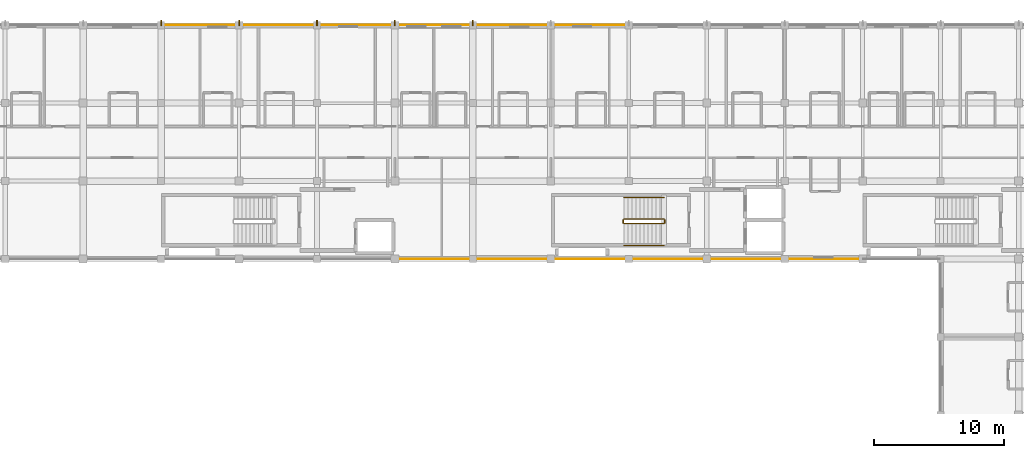
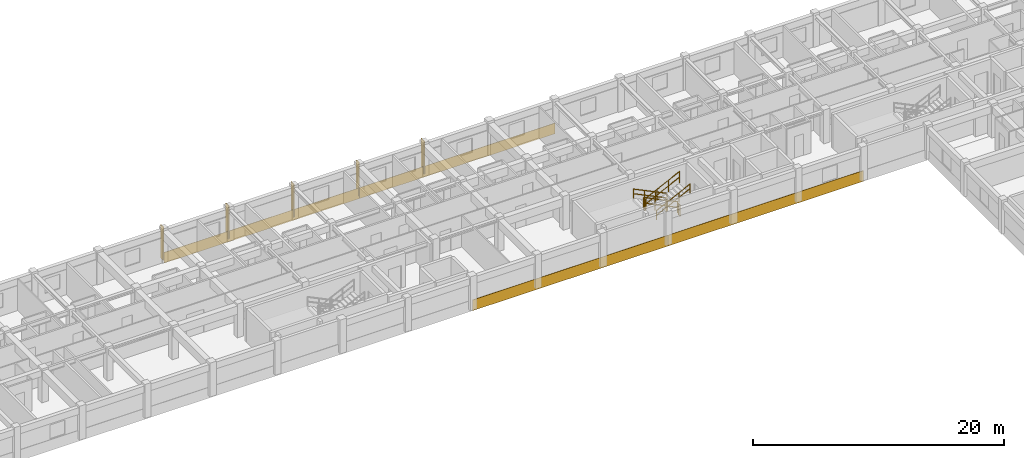
# One storey, part 20 of 21: 6 railings, 5 shading devices, 4 coverings.
"""IFC4 building model written with IfcOpenShell, lengths in metres."""

from ifc_helpers import new_model, si_unit, direction, frame, origin, origin_2d, place, context, subcontext, project, spatial, polyline, rectangle, circle, outline, extrude, material, layer, layer_set, type_object, element, save


model = new_model("IFC4")

# Units and contexts
model_context = context("Model", 3, precision=1e-05, world=origin(), true_north=direction((0.0, 1.0)))
body_context = subcontext(model_context, "Body", "Model", "MODEL_VIEW")
ifc_project = project(units=[si_unit("LENGTHUNIT", "METRE"), si_unit("AREAUNIT", "SQUARE_METRE"), si_unit("VOLUMEUNIT", "CUBIC_METRE"), si_unit("PLANEANGLEUNIT", "RADIAN"), si_unit("MASSUNIT", "GRAM", prefix="KILO"), si_unit("THERMODYNAMICTEMPERATUREUNIT", "KELVIN"), si_unit("POWERUNIT", "WATT")], contexts=[model_context])

# Site, building, storey
site_placement = place(None, origin())
site = spatial("IfcSite", under=ifc_project, at=site_placement, CompositionType="ELEMENT")
building_placement = place(site_placement, origin())
building = spatial("IfcBuilding", under=site, at=building_placement, Name="Phaisarnlok Congress Hotel", CompositionType="ELEMENT")
storey_placement = place(building_placement, frame((0.0, 0.0, 34.800048828125)))
storey = spatial("IfcBuildingStorey", under=building, at=storey_placement, Name="L08", CompositionType="ELEMENT", Elevation=34.800048828125)

# Coverings
ifc_material_1 = material(Name="Anodised Silver Aluminium Alloy 6063-T6", Category="aluminium")
ifc_layer_1 = layer(ifc_material_1, 0.031982421875, Name="Anodised Silver Aluminium Alloy 6063-T6")
ifc_layer_set_1 = layer_set([ifc_layer_1], Name="Anodised Silver Aluminium Alloy 6063-T6")
covering_type = type_object("IfcCoveringType", Name="COV-SPAND-ALU", PredefinedType="CLADDING", material=ifc_layer_set_1)
for number, where, z_axis, x_axis, name in (
    (1, (120.06005859375, 125.9951171875, -0.280029296875), (0.0, 1.0, 0.0), (-1.0, 0.0, 0.0), "Swiss minimalist anodised silver rainscreen band CL-02 (L08 N)"),
    (2, (138.06005859375, 125.9951171875, -0.280029296875), (0.0, 1.0, 0.0), (-1.0, 0.0, 0.0), "Swiss minimalist anodised silver rainscreen band CL-02 (L08 N)"),
    (3, (120.06005859375, 108.0048828125, -0.280029296875), (0.0, -1.0, 0.0), (1.0, 0.0, 0.0), "Swiss minimalist anodised silver rainscreen band CL-02 (L08 S)"),
    (4, (138.06005859375, 108.0048828125, -0.280029296875), (0.0, -1.0, 0.0), (1.0, 0.0, 0.0), "Swiss minimalist anodised silver rainscreen band CL-02 (L08 S)"),
):
    element("IfcCovering", number, at=place(storey_placement, frame(where, z_axis=z_axis, x_axis=x_axis)), inside=storey, type_object=covering_type, Name=name, PredefinedType="CLADDING", context=body_context, shape_type="SweptSolid", body=[
        extrude(outline(polyline([(0.0, 0.0), (18.0, 0.0), (18.0, 1.050048828125), (0.0, 1.050048828125), (0.0, 0.0)])), origin(), (0.0, 0.0, 1.0), 0.031982421875),
    ])

# Railings
ifc_material_2 = material(Name="Painted Galvanised Steel S275", Category="steel")
railing_type_1 = type_object("IfcRailingType", Name="RLG-STR-GUARD", PredefinedType="BALUSTRADE", material=ifc_material_2)
railing_1_placement = place(storey_placement, frame((140.719970703125, 111.070068359375, 0.14990234375)))
element("IfcRailing", 5, at=railing_1_placement, inside=storey, type_object=railing_type_1, Name="L08 ST-06 stair guard 1", PredefinedType="BALUSTRADE", context=body_context, shape_type="SweptSolid", body=[
    extrude(circle(Radius=0.02392578125, at=origin_2d()), frame((0.0, 0.0, 1.076171875), z_axis=(-0.900151181449, 0.0, 0.435577605641), x_axis=(0.0, -1.0, 0.0)), (0.0, 0.0, 1.0), 3.443603515625),
    extrude(circle(Radius=0.02392578125, at=origin_2d()), frame((0.0, 0.0, 0.52587890625), z_axis=(-0.900151181449, 0.0, 0.435577605641), x_axis=(0.0, -1.0, 0.0)), (0.0, 0.0, 1.0), 3.443603515625),
    extrude(circle(Radius=0.02099609375, at=origin_2d()), origin(), (0.0, 0.0, 1.0), 1.052001953125),
    extrude(circle(Radius=0.02099609375, at=origin_2d()), frame((-1.033203125, 0.0, 0.5)), (0.0, 0.0, 1.0), 1.052001953125),
    extrude(circle(Radius=0.02099609375, at=origin_2d()), frame((-2.066650390625, 0.0, 1.0)), (0.0, 0.0, 1.0), 1.052001953125),
    extrude(circle(Radius=0.02099609375, at=origin_2d()), frame((-3.099853515625, 0.0, 1.5)), (0.0, 0.0, 1.0), 1.052001953125),
])
railing_2_placement = place(storey_placement, frame((137.570068359375, 111.02001953125, 1.64990234375)))
element("IfcRailing", 6, at=railing_2_placement, inside=storey, type_object=railing_type_1, Name="L08 ST-06 stair guard 2", PredefinedType="BALUSTRADE", context=body_context, shape_type="SweptSolid", body=[
    extrude(circle(Radius=0.02392578125, at=origin_2d()), frame((0.0, 0.0, 1.076171875), z_axis=(0.0, -1.0, 0.0), x_axis=(1.0, 0.0, 0.0)), (0.0, 0.0, 1.0), 0.239990234375),
    extrude(circle(Radius=0.02392578125, at=origin_2d()), frame((0.0, 0.0, 0.52587890625), z_axis=(0.0, -1.0, 0.0), x_axis=(1.0, 0.0, 0.0)), (0.0, 0.0, 1.0), 0.239990234375),
    extrude(circle(Radius=0.02099609375, at=origin_2d()), origin(), (0.0, 0.0, 1.0), 1.052001953125),
    extrude(circle(Radius=0.02099609375, at=origin_2d()), frame((0.0, -0.239990234375, 0.0)), (0.0, 0.0, 1.0), 1.052001953125),
])
railing_3_placement = place(storey_placement, frame((137.6201171875, 110.72998046875, 1.800048828125)))
element("IfcRailing", 7, at=railing_3_placement, inside=storey, type_object=railing_type_1, Name="L08 ST-06 stair guard 3", PredefinedType="BALUSTRADE", context=body_context, shape_type="SweptSolid", body=[
    extrude(circle(Radius=0.02392578125, at=origin_2d()), frame((0.0, 0.0, 1.076171875), z_axis=(0.900151181449, 0.0, 0.435577605641), x_axis=(0.0, 1.0, 0.0)), (0.0, 0.0, 1.0), 3.443603515625),
    extrude(circle(Radius=0.02392578125, at=origin_2d()), frame((0.0, 0.0, 0.52587890625), z_axis=(0.900151181449, 0.0, 0.435577605641), x_axis=(0.0, 1.0, 0.0)), (0.0, 0.0, 1.0), 3.443603515625),
    extrude(circle(Radius=0.02099609375, at=origin_2d()), origin(), (0.0, 0.0, 1.0), 1.052001953125),
    extrude(circle(Radius=0.02099609375, at=origin_2d()), frame((1.033203125, 0.0, 0.5)), (0.0, 0.0, 1.0), 1.052001953125),
    extrude(circle(Radius=0.02099609375, at=origin_2d()), frame((2.066650390625, 0.0, 1.0)), (0.0, 0.0, 1.0), 1.052001953125),
    extrude(circle(Radius=0.02099609375, at=origin_2d()), frame((3.099853515625, 0.0, 1.5)), (0.0, 0.0, 1.0), 1.052001953125),
])
railing_4_placement = place(storey_placement, frame((140.77001953125, 111.02001953125, 0.0)))
element("IfcRailing", 8, at=railing_4_placement, inside=storey, type_object=railing_type_1, Name="L08 ST-06 stair guard 4", PredefinedType="BALUSTRADE", context=body_context, shape_type="SweptSolid", body=[
    extrude(circle(Radius=0.02392578125, at=origin_2d()), frame((0.0, 0.0, 1.076171875), z_axis=(0.0, -1.0, 0.0), x_axis=(1.0, 0.0, 0.0)), (0.0, 0.0, 1.0), 0.239990234375),
    extrude(circle(Radius=0.02392578125, at=origin_2d()), frame((0.0, 0.0, 0.52587890625), z_axis=(0.0, -1.0, 0.0), x_axis=(1.0, 0.0, 0.0)), (0.0, 0.0, 1.0), 0.239990234375),
    extrude(circle(Radius=0.02099609375, at=origin_2d()), origin(), (0.0, 0.0, 1.0), 1.052001953125),
    extrude(circle(Radius=0.02099609375, at=origin_2d()), frame((0.0, -0.239990234375, 0.0)), (0.0, 0.0, 1.0), 1.052001953125),
])
ifc_material_3 = material(Name="Brushed Stainless Steel Grade 304", Category="steel")
railing_type_2 = type_object("IfcRailingType", Name="RLG-STR-HRAIL", PredefinedType="HANDRAIL", material=ifc_material_3)
railing_5_placement = place(storey_placement, frame((140.719970703125, 112.75, 0.14990234375)))
element("IfcRailing", 9, at=railing_5_placement, inside=storey, type_object=railing_type_2, Name="L08 ST-06 stair handrail 1", PredefinedType="HANDRAIL", context=body_context, shape_type="SweptSolid", body=[
    extrude(circle(Radius=0.02392578125, at=origin_2d()), frame((0.0, 0.0, 0.8759765625), z_axis=(-0.900151181449, 0.0, 0.435577605641), x_axis=(0.0, -1.0, 0.0)), (0.0, 0.0, 1.0), 3.443603515625),
    extrude(circle(Radius=0.02392578125, at=origin_2d()), frame((0.0, 0.0, 0.42578125), z_axis=(-0.900151181449, 0.0, 0.435577605641), x_axis=(0.0, -1.0, 0.0)), (0.0, 0.0, 1.0), 3.443603515625),
    extrude(circle(Radius=0.02099609375, at=origin_2d()), origin(), (0.0, 0.0, 1.0), 0.851806640625),
    extrude(circle(Radius=0.02099609375, at=origin_2d()), frame((-1.033203125, 0.0, 0.5)), (0.0, 0.0, 1.0), 0.851806640625),
    extrude(circle(Radius=0.02099609375, at=origin_2d()), frame((-2.066650390625, 0.0, 1.0)), (0.0, 0.0, 1.0), 0.851806640625),
    extrude(circle(Radius=0.02099609375, at=origin_2d()), frame((-3.099853515625, 0.0, 1.5)), (0.0, 0.0, 1.0), 0.851806640625),
])
railing_6_placement = place(storey_placement, frame((137.6201171875, 109.050048828125, 1.800048828125)))
element("IfcRailing", 10, at=railing_6_placement, inside=storey, type_object=railing_type_2, Name="L08 ST-06 stair handrail 2", PredefinedType="HANDRAIL", context=body_context, shape_type="SweptSolid", body=[
    extrude(circle(Radius=0.02392578125, at=origin_2d()), frame((0.0, 0.0, 0.8759765625), z_axis=(0.900151181449, 0.0, 0.435577605641), x_axis=(0.0, 1.0, 0.0)), (0.0, 0.0, 1.0), 3.443603515625),
    extrude(circle(Radius=0.02392578125, at=origin_2d()), frame((0.0, 0.0, 0.42578125), z_axis=(0.900151181449, 0.0, 0.435577605641), x_axis=(0.0, 1.0, 0.0)), (0.0, 0.0, 1.0), 3.443603515625),
    extrude(circle(Radius=0.02099609375, at=origin_2d()), origin(), (0.0, 0.0, 1.0), 0.851806640625),
    extrude(circle(Radius=0.02099609375, at=origin_2d()), frame((1.033203125, 0.0, 0.5)), (0.0, 0.0, 1.0), 0.851806640625),
    extrude(circle(Radius=0.02099609375, at=origin_2d()), frame((2.066650390625, 0.0, 1.0)), (0.0, 0.0, 1.0), 0.851806640625),
    extrude(circle(Radius=0.02099609375, at=origin_2d()), frame((3.099853515625, 0.0, 1.5)), (0.0, 0.0, 1.0), 0.851806640625),
])

# Shading devices
ifc_material_4 = material(Name="Anodised Champagne Aluminium Alloy 6063", Category="aluminium")
ifc_layer_2 = layer(ifc_material_4, 0.050048828125, Name="Anodised Champagne Aluminium Alloy 6063")
ifc_layer_set_2 = layer_set([ifc_layer_2], Name="Anodised Champagne Aluminium Alloy 6063")
shading_device_type = type_object("IfcShadingDeviceType", Name="SHD-FIN-VERT", PredefinedType="SHUTTER", material=ifc_layer_set_2)
for number, where, z_axis, x_axis, name in (
    (11, (102.0, 126.179931640625, 0.0400390625), (0.0, 0.0, 1.0), (1.0, 0.0, 0.0), "Hotel vertical solar fin SF-01 (L08)"),
    (12, (108.0, 126.179931640625, 0.0400390625), (0.0, 0.0, 1.0), (1.0, 0.0, 0.0), "Hotel vertical solar fin SF-01 (L08)"),
    (13, (114.0, 126.179931640625, 0.0400390625), (0.0, 0.0, 1.0), (1.0, 0.0, 0.0), "Hotel vertical solar fin SF-01 (L08)"),
    (14, (120.0, 126.179931640625, 0.0400390625), (0.0, 0.0, 1.0), (1.0, 0.0, 0.0), "Hotel vertical solar fin SF-01 (L08)"),
    (15, (126.0, 126.179931640625, 0.0400390625), (0.0, 0.0, 1.0), (1.0, 0.0, 0.0), "Hotel vertical solar fin SF-01 (L08)"),
):
    element("IfcShadingDevice", number, at=place(storey_placement, frame(where, z_axis=z_axis, x_axis=x_axis)), inside=storey, type_object=shading_device_type, Name=name, PredefinedType="SHUTTER", context=body_context, shape_type="SweptSolid", body=[
        extrude(rectangle(XDim=0.080078125, YDim=0.43994140625, at=origin_2d()), origin(), (0.0, 0.0, 1.0), 3.219970703125),
    ])

save(model, "model.ifc")
